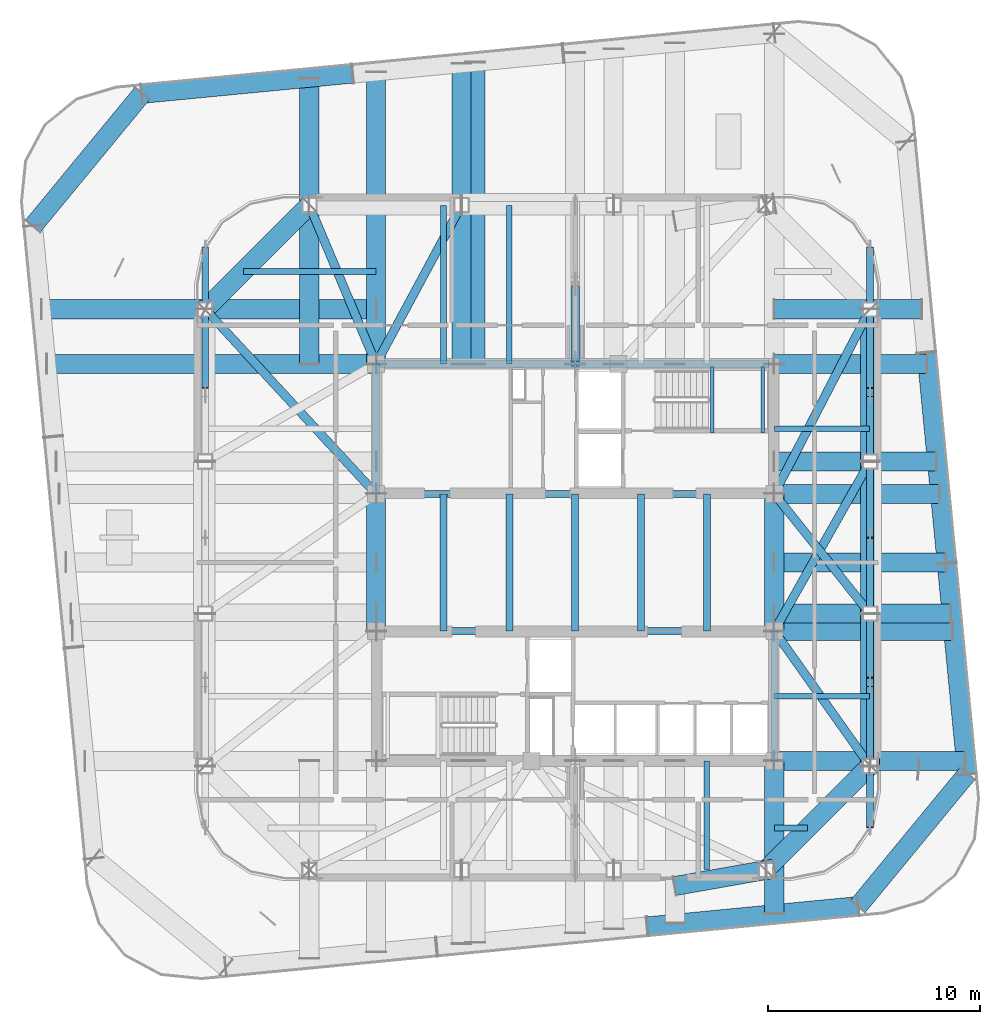
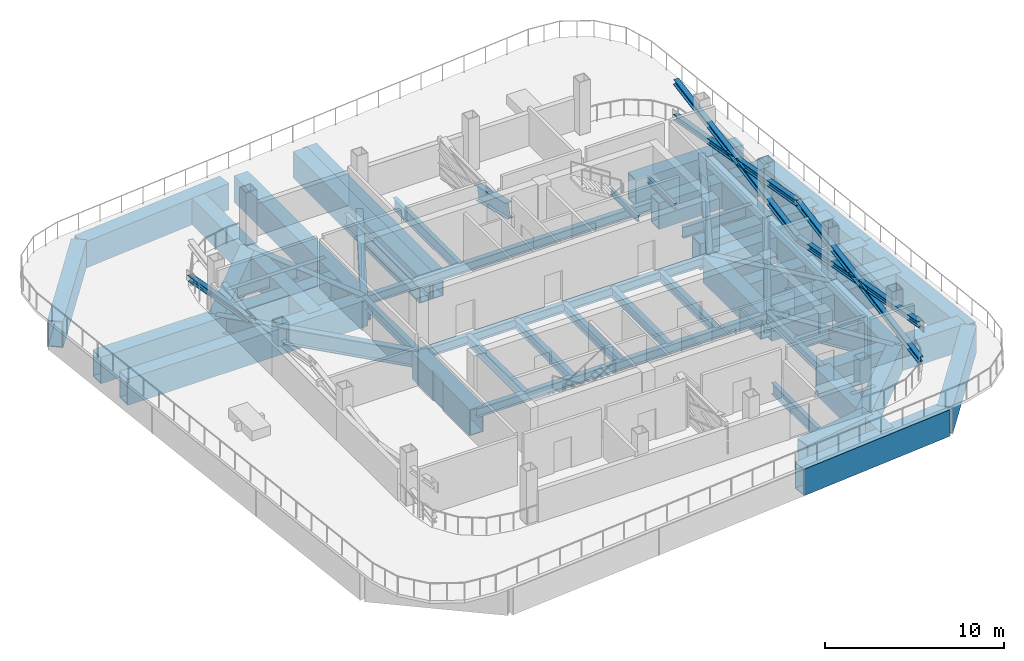
# One storey, part 2 of 12: 55 beams, 8 members.
"""IFC4 building model written with IfcOpenShell, lengths in metres."""

from ifc_helpers import new_model, si_unit, direction, frame, origin, origin_2d, place, context, subcontext, project, spatial, hollow_rectangle, i_section, extrude, material, material_profile, profile_set, type_object, element, save


model = new_model("IFC4")

# Units and contexts
model_context = context("Model", 3, precision=1e-05, world=origin(), true_north=direction((0.0, 1.0)))
body_context = subcontext(model_context, "Body", "Model", "MODEL_VIEW")
ifc_project = project(units=[si_unit("LENGTHUNIT", "METRE"), si_unit("AREAUNIT", "SQUARE_METRE"), si_unit("VOLUMEUNIT", "CUBIC_METRE"), si_unit("PLANEANGLEUNIT", "RADIAN"), si_unit("MASSUNIT", "GRAM", prefix="KILO")], contexts=[model_context])

# Site, building, storey
site_placement = place(None, origin())
site = spatial("IfcSite", under=ifc_project, at=site_placement, CompositionType="ELEMENT")
building_placement = place(site_placement, origin())
building = spatial("IfcBuilding", under=site, at=building_placement, Name="Qhalaya Broadcast Tower", CompositionType="ELEMENT")
storey_placement = place(building_placement, frame((0.0, 0.0, 187.949951171875)))
storey = spatial("IfcBuildingStorey", under=building, at=storey_placement, Name="L55", CompositionType="ELEMENT", Elevation=187.949951171875)

# Members
ifc_material_1 = material(Name="Structural Steel ASTM A572 Grade 50", Category="steel")
ifc_material_profile_1 = material_profile(ifc_material_1, i_section(OverallWidth=0.31298828125, OverallDepth=0.3798828125, WebThickness=0.01806640625, FlangeThickness=0.028076171875, at=origin_2d()), Name="W12X120")
ifc_profile_set_1 = profile_set([ifc_material_profile_1], Name="Structural Steel ASTM A572 Grade 50")
member_type_1 = type_object("IfcMemberType", Name="Belt-Truss Diagonal Brace OB2", PredefinedType="BRACE", material=ifc_profile_set_1)
member_1_placement = place(storey_placement, frame((-17.419921875, 8.8115234375, 1.62158203125), z_axis=(0.0, 0.984644451782, -0.174571771986), x_axis=(-1.0, 0.0, 0.0)))
element("IfcMember", 1, at=member_1_placement, inside=storey, type_object=member_type_1, Name="L55 Belt Truss Split Brace W2B2", PredefinedType="BRACE", context=body_context, shape_type="SweptSolid", body=[
    extrude(i_section(OverallWidth=0.31298828125, OverallDepth=0.3798828125, WebThickness=0.01806640625, FlangeThickness=0.028076171875, at=origin_2d()), origin(), (0.0, 0.0, 1.0), 6.71142578125),
])
member_2_placement = place(storey_placement, frame((13.8798828125, -11.8798828125, 0.449951171875), z_axis=(0.0, 0.984642998535, 0.174579968601), x_axis=(-1.0, 0.0, 0.0)))
element("IfcMember", 2, at=member_2_placement, inside=storey, type_object=member_type_1, Name="L55 Belt Truss Continuous Brace E1A", PredefinedType="BRACE", context=body_context, shape_type="SweptSolid", body=[
    extrude(i_section(OverallWidth=0.31298828125, OverallDepth=0.3798828125, WebThickness=0.01806640625, FlangeThickness=0.028076171875, at=origin_2d()), origin(), (0.0, 0.0, 1.0), 13.86279296875),
])
for number, where, z_axis, x_axis, name in (
    (3, (13.8798828125, -11.8798828125, 2.8701171875), (0.0, 0.984644451782, -0.174571771986), (-1.0, 0.0, 0.0), "L55 Belt Truss Split Brace E1B1"),
    (4, (13.8798828125, -4.83837890625, 1.62158203125), (0.0, 0.984644451782, -0.174571771986), (-1.0, 0.0, 0.0), "L55 Belt Truss Split Brace E1B2"),
):
    element("IfcMember", number, at=place(storey_placement, frame(where, z_axis=z_axis, x_axis=x_axis)), inside=storey, type_object=member_type_1, Name=name, PredefinedType="BRACE", context=body_context, shape_type="SweptSolid", body=[
        extrude(i_section(OverallWidth=0.31298828125, OverallDepth=0.3798828125, WebThickness=0.01806640625, FlangeThickness=0.028076171875, at=origin_2d()), origin(), (0.0, 0.0, 1.0), 6.71142578125),
    ])
member_3_placement = place(storey_placement, frame((13.8798828125, 1.77001953125, 0.449951171875), z_axis=(0.0, 0.984642998535, 0.174579968601), x_axis=(-1.0, 0.0, 0.0)))
element("IfcMember", 5, at=member_3_placement, inside=storey, type_object=member_type_1, Name="L55 Belt Truss Continuous Brace E2A", PredefinedType="BRACE", context=body_context, shape_type="SweptSolid", body=[
    extrude(i_section(OverallWidth=0.31298828125, OverallDepth=0.3798828125, WebThickness=0.01806640625, FlangeThickness=0.028076171875, at=origin_2d()), origin(), (0.0, 0.0, 1.0), 13.86279296875),
])
for number, where, z_axis, x_axis, name in (
    (6, (13.8798828125, 1.77001953125, 2.8701171875), (0.0, 0.984644451782, -0.174571771986), (-1.0, 0.0, 0.0), "L55 Belt Truss Split Brace E2B1"),
    (7, (13.8798828125, 8.8115234375, 1.62158203125), (0.0, 0.984644451782, -0.174571771986), (-1.0, 0.0, 0.0), "L55 Belt Truss Split Brace E2B2"),
):
    element("IfcMember", number, at=place(storey_placement, frame(where, z_axis=z_axis, x_axis=x_axis)), inside=storey, type_object=member_type_1, Name=name, PredefinedType="BRACE", context=body_context, shape_type="SweptSolid", body=[
        extrude(i_section(OverallWidth=0.31298828125, OverallDepth=0.3798828125, WebThickness=0.01806640625, FlangeThickness=0.028076171875, at=origin_2d()), origin(), (0.0, 0.0, 1.0), 6.71142578125),
    ])

# Beams
ifc_material_profile_2 = material_profile(ifc_material_1, hollow_rectangle(XDim=0.89990234375, YDim=1.800048828125, WallThickness=0.06005859375, at=origin_2d()), Name="BOX 900x1800x60")
ifc_profile_set_2 = profile_set([ifc_material_profile_2], Name="Structural Steel ASTM A572 Grade 50")
beam_type_1 = type_object("IfcBeamType", Name="Block Cantilever Transfer Box Girder TG1", PredefinedType="USERDEFINED", material=ifc_profile_set_2)
beam_1_placement = place(storey_placement, frame((8.97998046875, -13.8798828125, -1.179931640625), z_axis=(0.707106781187, 0.707106781187, 0.0), x_axis=(-0.707106781187, 0.707106781187, 0.0)))
element("IfcBeam", 8, at=beam_1_placement, inside=storey, type_object=beam_type_1, Name="L55 TG1 L55-SPR-04", ObjectType="GIRDER", PredefinedType="USERDEFINED", context=body_context, shape_type="SweptSolid", body=[
    extrude(hollow_rectangle(XDim=0.89990234375, YDim=1.800048828125, WallThickness=0.06005859375, at=origin_2d()), origin(), (0.0, 0.0, 1.0), 6.929443359375),
])
beam_2_placement = place(storey_placement, frame((13.8798828125, -8.97998046875, -1.179931640625), z_axis=(0.0, 1.0, 0.0), x_axis=(-1.0, 0.0, 0.0)))
element("IfcBeam", 9, at=beam_2_placement, inside=storey, type_object=beam_type_1, Name="L55 TG1 L55-SPR-05", ObjectType="GIRDER", PredefinedType="USERDEFINED", context=body_context, shape_type="SweptSolid", body=[
    extrude(hollow_rectangle(XDim=0.89990234375, YDim=1.800048828125, WallThickness=0.06005859375, at=origin_2d()), origin(), (0.0, 0.0, 1.0), 7.166748046875),
])
beam_3_placement = place(storey_placement, frame((13.8798828125, -1.813232421875, -1.179931640625), z_axis=(0.0, 1.0, 0.0), x_axis=(-1.0, 0.0, 0.0)))
element("IfcBeam", 10, at=beam_3_placement, inside=storey, type_object=beam_type_1, Name="L55 TG1 L55-SPR-06", ObjectType="GIRDER", PredefinedType="USERDEFINED", context=body_context, shape_type="SweptSolid", body=[
    extrude(hollow_rectangle(XDim=0.89990234375, YDim=1.800048828125, WallThickness=0.06005859375, at=origin_2d()), origin(), (0.0, 0.0, 1.0), 7.16650390625),
])
beam_4_placement = place(storey_placement, frame((13.8798828125, 5.353271484375, -1.179931640625), z_axis=(0.0, 1.0, 0.0), x_axis=(-1.0, 0.0, 0.0)))
element("IfcBeam", 11, at=beam_4_placement, inside=storey, type_object=beam_type_1, Name="L55 TG1 L55-SPR-07", ObjectType="GIRDER", PredefinedType="USERDEFINED", context=body_context, shape_type="SweptSolid", body=[
    extrude(hollow_rectangle(XDim=0.89990234375, YDim=1.800048828125, WallThickness=0.06005859375, at=origin_2d()), origin(), (0.0, 0.0, 1.0), 7.166748046875),
])
beam_5_placement = place(storey_placement, frame((-12.52001953125, 17.419921875, -1.179931640625), z_axis=(-0.707106781187, -0.707106781187, 0.0), x_axis=(0.707106781187, -0.707106781187, 0.0)))
element("IfcBeam", 12, at=beam_5_placement, inside=storey, type_object=beam_type_1, Name="L55 TG1 L55-SPR-12", ObjectType="GIRDER", PredefinedType="USERDEFINED", context=body_context, shape_type="SweptSolid", body=[
    extrude(hollow_rectangle(XDim=0.89990234375, YDim=1.800048828125, WallThickness=0.06005859375, at=origin_2d()), origin(), (0.0, 0.0, 1.0), 6.929443359375),
])
beam_6_placement = place(storey_placement, frame((3.399658203125, -16.537353515625, -1.179931640625), z_axis=(0.995395510024, 0.095852900965, 0.0), x_axis=(-0.095852900965, 0.995395510024, 0.0)))
element("IfcBeam", 13, at=beam_6_placement, inside=storey, type_object=beam_type_1, Name="L55 TG1 L55-TGL-03", ObjectType="GIRDER", PredefinedType="USERDEFINED", context=body_context, shape_type="SweptSolid", body=[
    extrude(hollow_rectangle(XDim=0.89990234375, YDim=1.800048828125, WallThickness=0.06005859375, at=origin_2d()), origin(), (0.0, 0.0, 1.0), 9.966552734375),
])
beam_7_placement = place(storey_placement, frame((13.3203125, -15.58203125, -1.179931640625), z_axis=(0.636085107008, 0.771618906354, 0.0), x_axis=(-0.771618906354, 0.636085107008, 0.0)))
element("IfcBeam", 14, at=beam_7_placement, inside=storey, type_object=beam_type_1, Name="L55 TG1 L55-TGL-04", ObjectType="GIRDER", PredefinedType="USERDEFINED", context=body_context, shape_type="SweptSolid", body=[
    extrude(hollow_rectangle(XDim=0.89990234375, YDim=1.800048828125, WallThickness=0.06005859375, at=origin_2d()), origin(), (0.0, 0.0, 1.0), 8.06103515625),
])
beam_8_placement = place(storey_placement, frame((18.44775390625, -9.362060546875, -1.179931640625), z_axis=(-0.095826293365, 0.995398071879, 0.0), x_axis=(-0.995398071879, -0.095826293365, 0.0)))
element("IfcBeam", 15, at=beam_8_placement, inside=storey, type_object=beam_type_1, Name="L55 TG1 L55-TGL-05", ObjectType="GIRDER", PredefinedType="USERDEFINED", context=body_context, shape_type="SweptSolid", body=[
    extrude(hollow_rectangle(XDim=0.89990234375, YDim=1.800048828125, WallThickness=0.06005859375, at=origin_2d()), origin(), (0.0, 0.0, 1.0), 9.966796875),
])
beam_9_placement = place(storey_placement, frame((17.49267578125, 0.558837890625, -1.179931640625), z_axis=(-0.095852900965, 0.995395510024, 0.0), x_axis=(-0.995395510024, -0.095852900965, 0.0)))
element("IfcBeam", 16, at=beam_9_placement, inside=storey, type_object=beam_type_1, Name="L55 TG1 L55-TGL-06", ObjectType="GIRDER", PredefinedType="USERDEFINED", context=body_context, shape_type="SweptSolid", body=[
    extrude(hollow_rectangle(XDim=0.89990234375, YDim=1.800048828125, WallThickness=0.06005859375, at=origin_2d()), origin(), (0.0, 0.0, 1.0), 9.966552734375),
])
beam_10_placement = place(storey_placement, frame((-10.4794921875, 23.6171875, -1.179931640625), z_axis=(-0.995398071879, -0.095826293365, 0.0), x_axis=(0.095826293365, -0.995398071879, 0.0)))
element("IfcBeam", 17, at=beam_10_placement, inside=storey, type_object=beam_type_1, Name="L55 TG1 L55-TGL-11", ObjectType="GIRDER", PredefinedType="USERDEFINED", context=body_context, shape_type="SweptSolid", body=[
    extrude(hollow_rectangle(XDim=0.89990234375, YDim=1.800048828125, WallThickness=0.06005859375, at=origin_2d()), origin(), (0.0, 0.0, 1.0), 9.966796875),
])
beam_11_placement = place(storey_placement, frame((-20.400390625, 22.662109375, -1.179931640625), z_axis=(-0.636070241972, -0.771631160126, 0.0), x_axis=(0.771631160126, -0.636070241972, 0.0)))
element("IfcBeam", 18, at=beam_11_placement, inside=storey, type_object=beam_type_1, Name="L55 TG1 L55-TGL-12", ObjectType="GIRDER", PredefinedType="USERDEFINED", context=body_context, shape_type="SweptSolid", body=[
    extrude(hollow_rectangle(XDim=0.89990234375, YDim=1.800048828125, WallThickness=0.06005859375, at=origin_2d()), origin(), (0.0, 0.0, 1.0), 8.06103515625),
])
beam_12_placement = place(storey_placement, frame((-9.375, 9.949951171875, -1.179931640625), z_axis=(0.0, 1.0, 0.0), x_axis=(-1.0, 0.0, 0.0)))
element("IfcBeam", 19, at=beam_12_placement, inside=storey, type_object=beam_type_1, Name="L55 TG1 L55-TGINW-1", ObjectType="GIRDER", PredefinedType="USERDEFINED", context=body_context, shape_type="SweptSolid", body=[
    extrude(hollow_rectangle(XDim=0.89990234375, YDim=1.800048828125, WallThickness=0.06005859375, at=origin_2d()), origin(), (0.0, 0.0, 1.0), 13.733642578125),
])
beam_13_placement = place(storey_placement, frame((-4.699951171875, 9.949951171875, -1.179931640625), z_axis=(0.0, 1.0, 0.0), x_axis=(-1.0, 0.0, 0.0)))
element("IfcBeam", 20, at=beam_13_placement, inside=storey, type_object=beam_type_1, Name="L55 TG1 L55-TGIMNW-1", ObjectType="GIRDER", PredefinedType="USERDEFINED", context=body_context, shape_type="SweptSolid", body=[
    extrude(hollow_rectangle(XDim=0.89990234375, YDim=1.800048828125, WallThickness=0.06005859375, at=origin_2d()), origin(), (0.0, 0.0, 1.0), 14.18359375),
])
beam_14_placement = place(storey_placement, frame((9.375, 0.60009765625, -1.179931640625), z_axis=(1.0, 0.0, 0.0), x_axis=(0.0, 1.0, 0.0)))
element("IfcBeam", 21, at=beam_14_placement, inside=storey, type_object=beam_type_1, Name="L55 TG1 L55-TGIYE-1", ObjectType="GIRDER", PredefinedType="USERDEFINED", context=body_context, shape_type="SweptSolid", body=[
    extrude(hollow_rectangle(XDim=0.89990234375, YDim=1.800048828125, WallThickness=0.06005859375, at=origin_2d()), origin(), (0.0, 0.0, 1.0), 8.073486328125),
])
beam_15_placement = place(storey_placement, frame((9.375, -15.921630859375, -1.179931640625), z_axis=(0.0, 1.0, 0.0), x_axis=(-1.0, 0.0, 0.0)))
element("IfcBeam", 22, at=beam_15_placement, inside=storey, type_object=beam_type_1, Name="L55 TG1 L55-TGISE-1", ObjectType="GIRDER", PredefinedType="USERDEFINED", context=body_context, shape_type="SweptSolid", body=[
    extrude(hollow_rectangle(XDim=0.89990234375, YDim=1.800048828125, WallThickness=0.06005859375, at=origin_2d()), origin(), (0.0, 0.0, 1.0), 7.171630859375),
])
for number, where, z_axis, x_axis, name in (
    (23, (-9.375, -2.625, -1.179931640625), (0.0, 1.0, 0.0), (-1.0, 0.0, 0.0), "L55 TG1 L55-TGIMW-1"),
    (24, (9.375, -2.625, -1.179931640625), (0.0, 1.0, 0.0), (-1.0, 0.0, 0.0), "L55 TG1 L55-TGIME-1"),
):
    element("IfcBeam", number, at=place(storey_placement, frame(where, z_axis=z_axis, x_axis=x_axis)), inside=storey, type_object=beam_type_1, Name=name, ObjectType="GIRDER", PredefinedType="USERDEFINED", context=body_context, shape_type="SweptSolid", body=[
        extrude(hollow_rectangle(XDim=0.89990234375, YDim=1.800048828125, WallThickness=0.06005859375, at=origin_2d()), origin(), (0.0, 0.0, 1.0), 6.449951171875),
    ])
beam_16_placement = place(storey_placement, frame((9.375, -8.75, -1.179931640625), z_axis=(1.0, 0.0, 0.0), x_axis=(0.0, 1.0, 0.0)))
element("IfcBeam", 25, at=beam_16_placement, inside=storey, type_object=beam_type_1, Name="L55 TG1 L55-TGIY1E-1", ObjectType="GIRDER", PredefinedType="USERDEFINED", context=body_context, shape_type="SweptSolid", body=[
    extrude(hollow_rectangle(XDim=0.89990234375, YDim=1.800048828125, WallThickness=0.06005859375, at=origin_2d()), origin(), (0.0, 0.0, 1.0), 8.9736328125),
])
beam_17_placement = place(storey_placement, frame((9.375, -2.625, -1.179931640625), z_axis=(1.0, 0.0, 0.0), x_axis=(0.0, 1.0, 0.0)))
element("IfcBeam", 26, at=beam_17_placement, inside=storey, type_object=beam_type_1, Name="L55 TG1 L55-TGIY2E-1", ObjectType="GIRDER", PredefinedType="USERDEFINED", context=body_context, shape_type="SweptSolid", body=[
    extrude(hollow_rectangle(XDim=0.89990234375, YDim=1.800048828125, WallThickness=0.06005859375, at=origin_2d()), origin(), (0.0, 0.0, 1.0), 8.384033203125),
])
beam_18_placement = place(storey_placement, frame((9.375, 3.824951171875, -1.179931640625), z_axis=(1.0, 0.0, 0.0), x_axis=(0.0, 1.0, 0.0)))
element("IfcBeam", 27, at=beam_18_placement, inside=storey, type_object=beam_type_1, Name="L55 TG1 L55-TGIY3E-1", ObjectType="GIRDER", PredefinedType="USERDEFINED", context=body_context, shape_type="SweptSolid", body=[
    extrude(hollow_rectangle(XDim=0.89990234375, YDim=1.800048828125, WallThickness=0.06005859375, at=origin_2d()), origin(), (0.0, 0.0, 1.0), 7.762939453125),
])
beam_19_placement = place(storey_placement, frame((-24.862548828125, 9.949951171875, -1.179931640625), z_axis=(1.0, 0.0, 0.0), x_axis=(0.0, 1.0, 0.0)))
element("IfcBeam", 28, at=beam_19_placement, inside=storey, type_object=beam_type_1, Name="L55 TG1 L55-TGIY4W-1", ObjectType="GIRDER", PredefinedType="USERDEFINED", context=body_context, shape_type="SweptSolid", body=[
    extrude(hollow_rectangle(XDim=0.89990234375, YDim=1.800048828125, WallThickness=0.06005859375, at=origin_2d()), origin(), (0.0, 0.0, 1.0), 15.487548828125),
])
beam_20_placement = place(storey_placement, frame((9.375, 9.949951171875, -1.179931640625), z_axis=(1.0, 0.0, 0.0), x_axis=(0.0, 1.0, 0.0)))
element("IfcBeam", 29, at=beam_20_placement, inside=storey, type_object=beam_type_1, Name="L55 TG1 L55-TGIY4E-1", ObjectType="GIRDER", PredefinedType="USERDEFINED", context=body_context, shape_type="SweptSolid", body=[
    extrude(hollow_rectangle(XDim=0.89990234375, YDim=1.800048828125, WallThickness=0.06005859375, at=origin_2d()), origin(), (0.0, 0.0, 1.0), 7.173095703125),
])
beam_21_placement = place(storey_placement, frame((4.699951171875, -14.634765625, -1.179931640625), z_axis=(0.984803226475, 0.173673846979, 0.0), x_axis=(-0.173673846979, 0.984803226475, 0.0)))
element("IfcBeam", 30, at=beam_21_placement, inside=storey, type_object=beam_type_1, Name="L55 Spanning Transfer Box Girder 04", ObjectType="GIRDER", PredefinedType="USERDEFINED", context=body_context, shape_type="SweptSolid", body=[
    extrude(hollow_rectangle(XDim=0.89990234375, YDim=1.800048828125, WallThickness=0.06005859375, at=origin_2d()), origin(), (0.0, 0.0, 1.0), 4.7470703125),
])
beam_22_placement = place(storey_placement, frame((9.375, -1.813232421875, -1.179931640625), z_axis=(1.0, 0.0, 0.0), x_axis=(0.0, 1.0, 0.0)))
element("IfcBeam", 31, at=beam_22_placement, inside=storey, type_object=beam_type_1, Name="L55 Spanning Transfer Box Girder 06", ObjectType="GIRDER", PredefinedType="USERDEFINED", context=body_context, shape_type="SweptSolid", body=[
    extrude(hollow_rectangle(XDim=0.89990234375, YDim=1.800048828125, WallThickness=0.06005859375, at=origin_2d()), origin(), (0.0, 0.0, 1.0), 8.305908203125),
])
beam_23_placement = place(storey_placement, frame((9.375, 5.353271484375, -1.179931640625), z_axis=(1.0, 0.0, 0.0), x_axis=(0.0, 1.0, 0.0)))
element("IfcBeam", 32, at=beam_23_placement, inside=storey, type_object=beam_type_1, Name="L55 Spanning Transfer Box Girder 07", ObjectType="GIRDER", PredefinedType="USERDEFINED", context=body_context, shape_type="SweptSolid", body=[
    extrude(hollow_rectangle(XDim=0.89990234375, YDim=1.800048828125, WallThickness=0.06005859375, at=origin_2d()), origin(), (0.0, 0.0, 1.0), 7.61572265625),
])
beam_24_placement = place(storey_placement, frame((9.375, 12.52001953125, -1.179931640625), z_axis=(1.0, 0.0, 0.0), x_axis=(0.0, 1.0, 0.0)))
element("IfcBeam", 33, at=beam_24_placement, inside=storey, type_object=beam_type_1, Name="L55 Spanning Transfer Box Girder 08", ObjectType="GIRDER", PredefinedType="USERDEFINED", context=body_context, shape_type="SweptSolid", body=[
    extrude(hollow_rectangle(XDim=0.89990234375, YDim=1.800048828125, WallThickness=0.06005859375, at=origin_2d()), origin(), (0.0, 0.0, 1.0), 6.925537109375),
])
beam_25_placement = place(storey_placement, frame((-5.353271484375, 9.949951171875, -1.179931640625), z_axis=(0.0, 1.0, 0.0), x_axis=(-1.0, 0.0, 0.0)))
element("IfcBeam", 34, at=beam_25_placement, inside=storey, type_object=beam_type_1, Name="L55 Spanning Transfer Box Girder 11", ObjectType="GIRDER", PredefinedType="USERDEFINED", context=body_context, shape_type="SweptSolid", body=[
    extrude(hollow_rectangle(XDim=0.89990234375, YDim=1.800048828125, WallThickness=0.06005859375, at=origin_2d()), origin(), (0.0, 0.0, 1.0), 14.120849609375),
])
beam_26_placement = place(storey_placement, frame((-12.52001953125, 9.949951171875, -1.179931640625), z_axis=(0.0, 1.0, 0.0), x_axis=(-1.0, 0.0, 0.0)))
element("IfcBeam", 35, at=beam_26_placement, inside=storey, type_object=beam_type_1, Name="L55 Spanning Transfer Box Girder 12", ObjectType="GIRDER", PredefinedType="USERDEFINED", context=body_context, shape_type="SweptSolid", body=[
    extrude(hollow_rectangle(XDim=0.89990234375, YDim=1.800048828125, WallThickness=0.06005859375, at=origin_2d()), origin(), (0.0, 0.0, 1.0), 13.4306640625),
])
beam_27_placement = place(storey_placement, frame((-25.110107421875, 12.52001953125, -1.179931640625), z_axis=(1.0, 0.0, 0.0), x_axis=(0.0, 1.0, 0.0)))
element("IfcBeam", 36, at=beam_27_placement, inside=storey, type_object=beam_type_1, Name="L55 Spanning Transfer Box Girder 13", ObjectType="GIRDER", PredefinedType="USERDEFINED", context=body_context, shape_type="SweptSolid", body=[
    extrude(hollow_rectangle(XDim=0.89990234375, YDim=1.800048828125, WallThickness=0.06005859375, at=origin_2d()), origin(), (0.0, 0.0, 1.0), 15.735107421875),
])
ifc_material_2 = material(Name="Structural Steel ASTM A992 Grade 50", Category="steel")
ifc_material_profile_3 = material_profile(ifc_material_2, i_section(OverallWidth=0.323974609375, OverallDepth=0.612060546875, WebThickness=0.0126953125, FlangeThickness=0.01904296875, at=origin_2d()), Name="W24X104")
ifc_profile_set_3 = profile_set([ifc_material_profile_3], Name="Structural Steel ASTM A992 Grade 50")
beam_type_2 = type_object("IfcBeamType", Name="Core Frame Tie Beam B04", PredefinedType="BEAM", material=ifc_profile_set_3)
beam_28_placement = place(storey_placement, frame((-9.375, 3.824951171875, -0.5859375), z_axis=(1.0, 0.0, 0.0), x_axis=(0.0, 1.0, 0.0)))
element("IfcBeam", 37, at=beam_28_placement, inside=storey, type_object=beam_type_2, Name="L55 B04 L55-CCN1", PredefinedType="BEAM", context=body_context, shape_type="SweptSolid", body=[
    extrude(i_section(OverallWidth=0.323974609375, OverallDepth=0.612060546875, WebThickness=0.0126953125, FlangeThickness=0.01904296875, at=origin_2d()), origin(), (0.0, 0.0, 1.0), 18.75),
])
beam_29_placement = place(storey_placement, frame((-9.375, 3.824951171875, -0.5859375), z_axis=(0.0, 1.0, 0.0), x_axis=(-1.0, 0.0, 0.0)))
element("IfcBeam", 38, at=beam_29_placement, inside=storey, type_object=beam_type_2, Name="L55 B04 L55-CCN2", PredefinedType="BEAM", context=body_context, shape_type="SweptSolid", body=[
    extrude(i_section(OverallWidth=0.323974609375, OverallDepth=0.612060546875, WebThickness=0.0126953125, FlangeThickness=0.01904296875, at=origin_2d()), origin(), (0.0, 0.0, 1.0), 6.125),
])
beam_30_placement = place(storey_placement, frame((-9.375, 9.949951171875, -0.5859375), z_axis=(1.0, 0.0, 0.0), x_axis=(0.0, 1.0, 0.0)))
element("IfcBeam", 39, at=beam_30_placement, inside=storey, type_object=beam_type_2, Name="L55 B04 L55-CCN3", PredefinedType="BEAM", context=body_context, shape_type="SweptSolid", body=[
    extrude(i_section(OverallWidth=0.323974609375, OverallDepth=0.612060546875, WebThickness=0.0126953125, FlangeThickness=0.01904296875, at=origin_2d()), origin(), (0.0, 0.0, 1.0), 18.4951171875),
])
beam_31_placement = place(storey_placement, frame((-9.375, -2.625, -0.5859375), z_axis=(1.0, 0.0, 0.0), x_axis=(0.0, 1.0, 0.0)))
element("IfcBeam", 40, at=beam_31_placement, inside=storey, type_object=beam_type_2, Name="L55 B04 L55-CCS1", PredefinedType="BEAM", context=body_context, shape_type="SweptSolid", body=[
    extrude(i_section(OverallWidth=0.323974609375, OverallDepth=0.612060546875, WebThickness=0.0126953125, FlangeThickness=0.01904296875, at=origin_2d()), origin(), (0.0, 0.0, 1.0), 18.75),
])
beam_32_placement = place(storey_placement, frame((9.375, -8.75, -0.5859375), z_axis=(0.0, 1.0, 0.0), x_axis=(-1.0, 0.0, 0.0)))
element("IfcBeam", 41, at=beam_32_placement, inside=storey, type_object=beam_type_2, Name="L55 B04 L55-CCS2", PredefinedType="BEAM", context=body_context, shape_type="SweptSolid", body=[
    extrude(i_section(OverallWidth=0.323974609375, OverallDepth=0.612060546875, WebThickness=0.0126953125, FlangeThickness=0.01904296875, at=origin_2d()), origin(), (0.0, 0.0, 1.0), 6.125),
])
for number, where, z_axis, x_axis, name in (
    (42, (-6.199951171875, -2.625, -0.5859375), (0.0, 1.0, 0.0), (-1.0, 0.0, 0.0), "L55 B04 L55-JC1-1"),
    (43, (-3.10009765625, -2.625, -0.5859375), (0.0, 1.0, 0.0), (-1.0, 0.0, 0.0), "L55 B04 L55-JC2-1"),
    (44, (0.0, -2.625, -0.5859375), (0.0, 1.0, 0.0), (-1.0, 0.0, 0.0), "L55 B04 L55-JC3-1"),
    (45, (3.10009765625, -2.625, -0.5859375), (0.0, 1.0, 0.0), (-1.0, 0.0, 0.0), "L55 B04 L55-JC4-1"),
    (46, (6.199951171875, -2.625, -0.5859375), (0.0, 1.0, 0.0), (-1.0, 0.0, 0.0), "L55 B04 L55-JC5-1"),
):
    element("IfcBeam", number, at=place(storey_placement, frame(where, z_axis=z_axis, x_axis=x_axis)), inside=storey, type_object=beam_type_2, Name=name, PredefinedType="BEAM", context=body_context, shape_type="SweptSolid", body=[
        extrude(i_section(OverallWidth=0.323974609375, OverallDepth=0.612060546875, WebThickness=0.0126953125, FlangeThickness=0.01904296875, at=origin_2d()), origin(), (0.0, 0.0, 1.0), 6.449951171875),
    ])

# Member
ifc_material_profile_4 = material_profile(ifc_material_1, i_section(OverallWidth=0.40087890625, OverallDepth=1.0009765625, WebThickness=0.01904296875, FlangeThickness=0.0361328125, at=origin_2d()), Name="W40X249")
ifc_profile_set_4 = profile_set([ifc_material_profile_4], Name="Structural Steel ASTM A572 Grade 50")
member_type_2 = type_object("IfcMemberType", Name="Core-to-Perimeter Outrigger Brace OB1", PredefinedType="BRACE", material=ifc_profile_set_4)
member_4_placement = place(storey_placement, frame((0.0, 9.949951171875, 2.239990234375), z_axis=(0.0, 0.972825721597, -0.23153858296), x_axis=(-1.0, 0.0, 0.0)))
element("IfcMember", 47, at=member_4_placement, inside=storey, type_object=member_type_2, Name="L55 Outrigger Split Diagonal NCB1", PredefinedType="BRACE", context=body_context, shape_type="SweptSolid", body=[
    extrude(i_section(OverallWidth=0.40087890625, OverallDepth=1.0009765625, WebThickness=0.01904296875, FlangeThickness=0.0361328125, at=origin_2d()), origin(), (0.0, 0.0, 1.0), 3.625),
])

# Beams
ifc_material_profile_5 = material_profile(ifc_material_2, i_section(OverallWidth=0.26708984375, OverallDepth=0.761962890625, WebThickness=0.014404296875, FlangeThickness=0.021484375, at=origin_2d()), Name="W30X116")
ifc_profile_set_5 = profile_set([ifc_material_profile_5], Name="Structural Steel ASTM A992 Grade 50")
beam_type_3 = type_object("IfcBeamType", Name="Plant & Server Floor Beam B02", PredefinedType="BEAM", material=ifc_profile_set_5)
for number, where, z_axis, x_axis, name in (
    (48, (-6.199951171875, 9.949951171875, -0.660888671875), (0.0, 1.0, 0.0), (-1.0, 0.0, 0.0), "L55 B02 L55-JNN1-1"),
    (49, (-3.10009765625, 9.949951171875, -0.660888671875), (0.0, 1.0, 0.0), (-1.0, 0.0, 0.0), "L55 B02 L55-JNN2-1"),
):
    element("IfcBeam", number, at=place(storey_placement, frame(where, z_axis=z_axis, x_axis=x_axis)), inside=storey, type_object=beam_type_3, Name=name, PredefinedType="BEAM", context=body_context, shape_type="SweptSolid", body=[
        extrude(i_section(OverallWidth=0.26708984375, OverallDepth=0.761962890625, WebThickness=0.014404296875, FlangeThickness=0.021484375, at=origin_2d()), origin(), (0.0, 0.0, 1.0), 7.449951171875),
    ])
beam_33_placement = place(storey_placement, frame((6.199951171875, -13.860107421875, -0.660888671875), z_axis=(0.0, 1.0, 0.0), x_axis=(-1.0, 0.0, 0.0)))
element("IfcBeam", 50, at=beam_33_placement, inside=storey, type_object=beam_type_3, Name="L55 B02 L55-JNS5-1", PredefinedType="BEAM", context=body_context, shape_type="SweptSolid", body=[
    extrude(i_section(OverallWidth=0.26708984375, OverallDepth=0.761962890625, WebThickness=0.014404296875, FlangeThickness=0.021484375, at=origin_2d()), origin(), (0.0, 0.0, 1.0), 5.110107421875),
])
beam_34_placement = place(storey_placement, frame((9.375, -11.89990234375, -0.660888671875), z_axis=(1.0, 0.0, 0.0), x_axis=(0.0, 1.0, 0.0)))
element("IfcBeam", 51, at=beam_34_placement, inside=storey, type_object=beam_type_3, Name="L55 B02 L55-JWE2E-1", PredefinedType="BEAM", context=body_context, shape_type="SweptSolid", body=[
    extrude(i_section(OverallWidth=0.26708984375, OverallDepth=0.761962890625, WebThickness=0.014404296875, FlangeThickness=0.021484375, at=origin_2d()), origin(), (0.0, 0.0, 1.0), 1.556640625),
])
for number, where, z_axis, x_axis, name in (
    (52, (9.375, -5.699951171875, -0.660888671875), (1.0, 0.0, 0.0), (0.0, 1.0, 0.0), "L55 B02 L55-JWE3E-1"),
    (53, (9.375, 6.89990234375, -0.660888671875), (1.0, 0.0, 0.0), (0.0, 1.0, 0.0), "L55 B02 L55-JWE5E-1"),
):
    element("IfcBeam", number, at=place(storey_placement, frame(where, z_axis=z_axis, x_axis=x_axis)), inside=storey, type_object=beam_type_3, Name=name, PredefinedType="BEAM", context=body_context, shape_type="SweptSolid", body=[
        extrude(i_section(OverallWidth=0.26708984375, OverallDepth=0.761962890625, WebThickness=0.014404296875, FlangeThickness=0.021484375, at=origin_2d()), origin(), (0.0, 0.0, 1.0), 4.485107421875),
    ])
beam_35_placement = place(storey_placement, frame((-15.61181640625, 14.300048828125, -0.660888671875), z_axis=(1.0, 0.0, 0.0), x_axis=(0.0, 1.0, 0.0)))
element("IfcBeam", 54, at=beam_35_placement, inside=storey, type_object=beam_type_3, Name="L55 B02 L55-JWE6W-1", PredefinedType="BEAM", context=body_context, shape_type="SweptSolid", body=[
    extrude(i_section(OverallWidth=0.26708984375, OverallDepth=0.761962890625, WebThickness=0.014404296875, FlangeThickness=0.021484375, at=origin_2d()), origin(), (0.0, 0.0, 1.0), 6.23681640625),
])
ifc_material_profile_6 = material_profile(ifc_material_2, i_section(OverallWidth=0.404052734375, OverallDepth=1.117919921875, WebThickness=0.026123046875, FlangeThickness=0.044921875, at=origin_2d()), Name="W44X335")
ifc_profile_set_6 = profile_set([ifc_material_profile_6], Name="Structural Steel ASTM A992 Grade 50")
beam_type_4 = type_object("IfcBeamType", Name="Podium Long-Span Primary Girder PG1", PredefinedType="USERDEFINED", material=ifc_profile_set_6)
beam_36_placement = place(storey_placement, frame((9.375, -2.625, -0.8388671875), z_axis=(0.578311223875, -0.815816234418, 0.0), x_axis=(0.815816234418, 0.578311223875, 0.0)))
element("IfcBeam", 55, at=beam_36_placement, inside=storey, type_object=beam_type_4, Name="L55 Column-to-Column Moment Tie Girder 05-2", ObjectType="GIRDER", PredefinedType="USERDEFINED", context=body_context, shape_type="SweptSolid", body=[
    extrude(i_section(OverallWidth=0.404052734375, OverallDepth=1.117919921875, WebThickness=0.026123046875, FlangeThickness=0.044921875, at=origin_2d()), origin(), (0.0, 0.0, 1.0), 7.789794921875),
])
beam_37_placement = place(storey_placement, frame((9.375, 3.824951171875, -0.8388671875), z_axis=(0.624216370846, -0.781251510314, 0.0), x_axis=(0.781251510314, 0.624216370846, 0.0)))
element("IfcBeam", 56, at=beam_37_placement, inside=storey, type_object=beam_type_4, Name="L55 Column-to-Column Moment Tie Girder 06-2", ObjectType="GIRDER", PredefinedType="USERDEFINED", context=body_context, shape_type="SweptSolid", body=[
    extrude(i_section(OverallWidth=0.404052734375, OverallDepth=1.117919921875, WebThickness=0.026123046875, FlangeThickness=0.044921875, at=origin_2d()), origin(), (0.0, 0.0, 1.0), 7.216796875),
])
beam_38_placement = place(storey_placement, frame((9.375, -2.625, -0.8388671875), z_axis=(0.49167877831, 0.870776652742, 0.0), x_axis=(-0.870776652742, 0.49167877831, 0.0)))
element("IfcBeam", 57, at=beam_38_placement, inside=storey, type_object=beam_type_4, Name="L55 Column-to-Column Moment Tie Girder 07-2", ObjectType="GIRDER", PredefinedType="USERDEFINED", context=body_context, shape_type="SweptSolid", body=[
    extrude(i_section(OverallWidth=0.404052734375, OverallDepth=1.117919921875, WebThickness=0.026123046875, FlangeThickness=0.044921875, at=origin_2d()), origin(), (0.0, 0.0, 1.0), 9.162353515625),
])
beam_39_placement = place(storey_placement, frame((9.375, 3.824951171875, -0.8388671875), z_axis=(0.460021689688, 0.887907678206, 0.0), x_axis=(-0.887907678206, 0.460021689688, 0.0)))
element("IfcBeam", 58, at=beam_39_placement, inside=storey, type_object=beam_type_4, Name="L55 Column-to-Column Moment Tie Girder 08-1", ObjectType="GIRDER", PredefinedType="USERDEFINED", context=body_context, shape_type="SweptSolid", body=[
    extrude(i_section(OverallWidth=0.404052734375, OverallDepth=1.117919921875, WebThickness=0.026123046875, FlangeThickness=0.044921875, at=origin_2d()), origin(), (0.0, 0.0, 1.0), 9.792724609375),
])
beam_40_placement = place(storey_placement, frame((-9.375, 9.949951171875, -0.8388671875), z_axis=(0.474048339912, 0.880498819662, 0.0), x_axis=(-0.880498819662, 0.474048339912, 0.0)))
element("IfcBeam", 59, at=beam_40_placement, inside=storey, type_object=beam_type_4, Name="L55 Column-to-Column Moment Tie Girder 11-1", ObjectType="GIRDER", PredefinedType="USERDEFINED", context=body_context, shape_type="SweptSolid", body=[
    extrude(i_section(OverallWidth=0.404052734375, OverallDepth=1.117919921875, WebThickness=0.026123046875, FlangeThickness=0.044921875, at=origin_2d()), origin(), (0.0, 0.0, 1.0), 8.48388671875),
])
beam_41_placement = place(storey_placement, frame((-9.375, 9.949951171875, -0.8388671875), z_axis=(-0.388032760501, 0.921645580892, 0.0), x_axis=(-0.921645580892, -0.388032760501, 0.0)))
element("IfcBeam", 60, at=beam_41_placement, inside=storey, type_object=beam_type_4, Name="L55 Column-to-Column Moment Tie Girder 12-1", ObjectType="GIRDER", PredefinedType="USERDEFINED", context=body_context, shape_type="SweptSolid", body=[
    extrude(i_section(OverallWidth=0.404052734375, OverallDepth=1.117919921875, WebThickness=0.026123046875, FlangeThickness=0.044921875, at=origin_2d()), origin(), (0.0, 0.0, 1.0), 8.10498046875),
])
beam_42_placement = place(storey_placement, frame((-9.375, 3.824951171875, -0.8388671875), z_axis=(-0.679132217863, 0.734015960767, 0.0), x_axis=(-0.734015960767, -0.679132217863, 0.0)))
element("IfcBeam", 61, at=beam_42_placement, inside=storey, type_object=beam_type_4, Name="L55 Column-to-Column Moment Tie Girder 13-2", ObjectType="GIRDER", PredefinedType="USERDEFINED", context=body_context, shape_type="SweptSolid", body=[
    extrude(i_section(OverallWidth=0.404052734375, OverallDepth=1.117919921875, WebThickness=0.026123046875, FlangeThickness=0.044921875, at=origin_2d()), origin(), (0.0, 0.0, 1.0), 11.845947265625),
])
ifc_material_profile_7 = material_profile(ifc_material_2, i_section(OverallWidth=0.177978515625, OverallDepth=0.406005859375, WebThickness=0.0078125, FlangeThickness=0.0126953125, at=origin_2d()), Name="W16X40")
ifc_profile_set_7 = profile_set([ifc_material_profile_7], Name="Structural Steel ASTM A992 Grade 50")
beam_type_5 = type_object("IfcBeamType", Name="Upper Perimeter Spandrel Beam SP2", PredefinedType="SPANDREL", material=ifc_profile_set_7)
for number, where, z_axis, x_axis, name in (
    (62, (6.455078125, 6.699951171875, 1.39697265625), (0.0, 1.0, 0.0), (-1.0, 0.0, 0.0), "L55 ST-1 Half-Landing Bearer Beam 1"),
    (63, (8.830078125, 6.699951171875, 1.39697265625), (0.0, 1.0, 0.0), (-1.0, 0.0, 0.0), "L55 ST-1 Half-Landing Bearer Beam 2"),
):
    element("IfcBeam", number, at=place(storey_placement, frame(where, z_axis=z_axis, x_axis=x_axis)), inside=storey, type_object=beam_type_5, Name=name, PredefinedType="SPANDREL", context=body_context, shape_type="SweptSolid", body=[
        extrude(i_section(OverallWidth=0.177978515625, OverallDepth=0.406005859375, WebThickness=0.0078125, FlangeThickness=0.0126953125, at=origin_2d()), origin(), (0.0, 0.0, 1.0), 3.1201171875),
    ])

save(model, "model.ifc")
